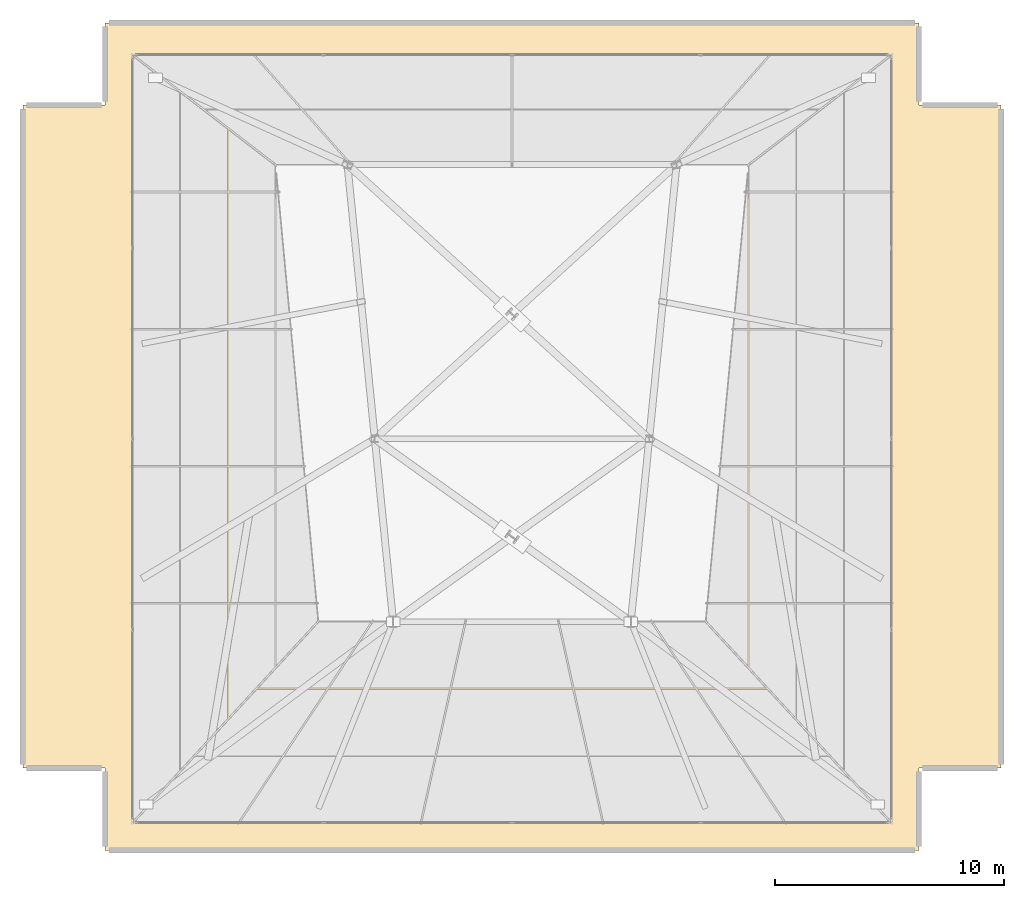
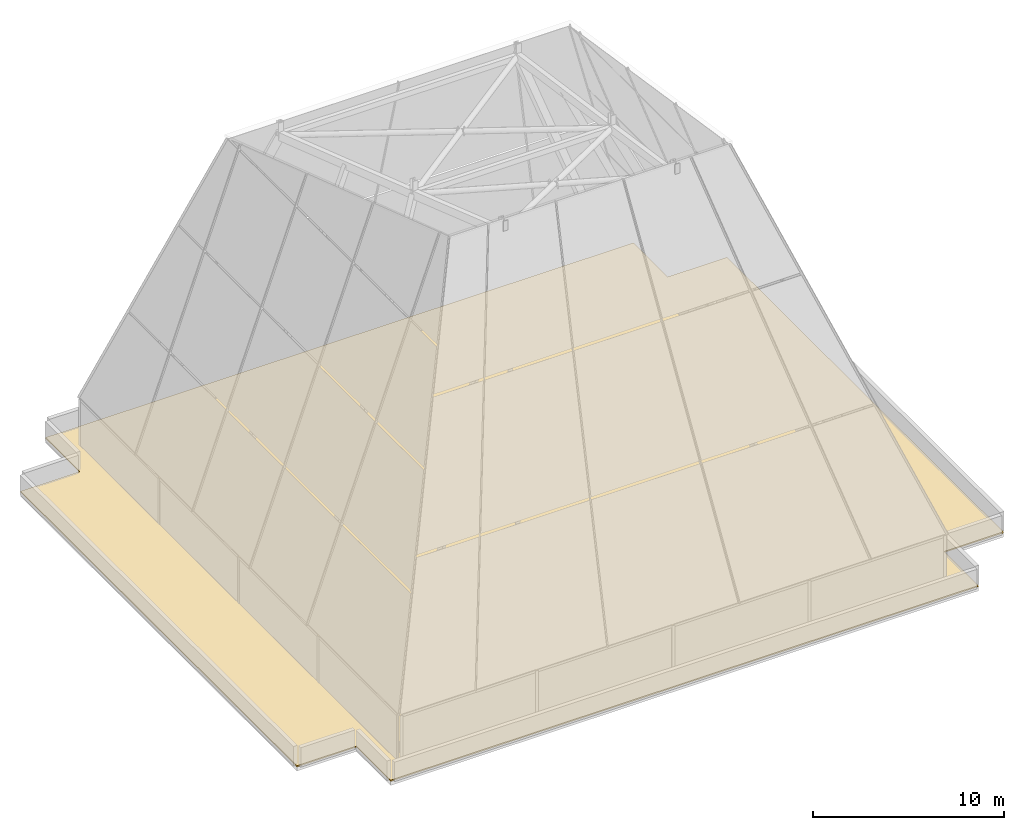
# One storey, part 32 of 32: 1 covering.
"""IFC4 building model written with IfcOpenShell, lengths in metres."""

from ifc_helpers import new_model, si_unit, direction, frame, origin, place, context, subcontext, project, spatial, polyline, outline, extrude, material, layer, layer_set, type_object, element, save


model = new_model("IFC4")

# Units and contexts
model_context = context("Model", 3, precision=1e-05, world=origin(), true_north=direction((0.0, 1.0)))
body_context = subcontext(model_context, "Body", "Model", "MODEL_VIEW")
ifc_project = project(units=[si_unit("LENGTHUNIT", "METRE"), si_unit("AREAUNIT", "SQUARE_METRE"), si_unit("VOLUMEUNIT", "CUBIC_METRE"), si_unit("PLANEANGLEUNIT", "RADIAN"), si_unit("MASSUNIT", "GRAM", prefix="KILO")], contexts=[model_context])

# Site, building, storey
site_placement = place(None, origin())
site = spatial("IfcSite", under=ifc_project, at=site_placement, CompositionType="ELEMENT")
building_placement = place(site_placement, origin())
building = spatial("IfcBuilding", under=site, at=building_placement, Name="Sumidabori Civic Tower", CompositionType="ELEMENT")
storey_placement = place(building_placement, frame((0.0, 0.0, 298.199951171875)))
storey = spatial("IfcBuildingStorey", under=building, at=storey_placement, Name="RF Roof Crown", CompositionType="ELEMENT", Elevation=298.199951171875)

# Covering
ifc_material = material(Name="Insulated Waterproof Roofing Membrane")
ifc_layer = layer(ifc_material, 0.080078125, Name="Insulated Waterproof Roofing Membrane")
ifc_layer_set = layer_set([ifc_layer], Name="Insulated Waterproof Roofing Membrane")
covering_type = type_object("IfcCoveringType", Name="CV-ROOF-MEM", PredefinedType="ROOFING", material=ifc_layer_set)
covering_placement = place(storey_placement, origin())
element("IfcCovering", 1, at=covering_placement, inside=storey, type_object=covering_type, Name="Crown Deck Waterproofing Membrane", PredefinedType="ROOFING", context=body_context, shape_type="SweptSolid", body=[
    extrude(outline(polyline([(-17.800048828125, -12.0), (17.800048828125, -12.0), (17.800048828125, -8.39990234375), (21.39990234375, -8.39990234375), (21.39990234375, 20.60009765625), (17.800048828125, 20.60009765625), (17.800048828125, 24.199951171875), (-17.800048828125, 24.199951171875), (-17.800048828125, 20.60009765625), (-21.39990234375, 20.60009765625), (-21.39990234375, -8.39990234375), (-17.800048828125, -8.39990234375), (-17.800048828125, -12.0)])), origin(), (0.0, 0.0, 1.0), 0.080078125),
])

save(model, "model.ifc")
